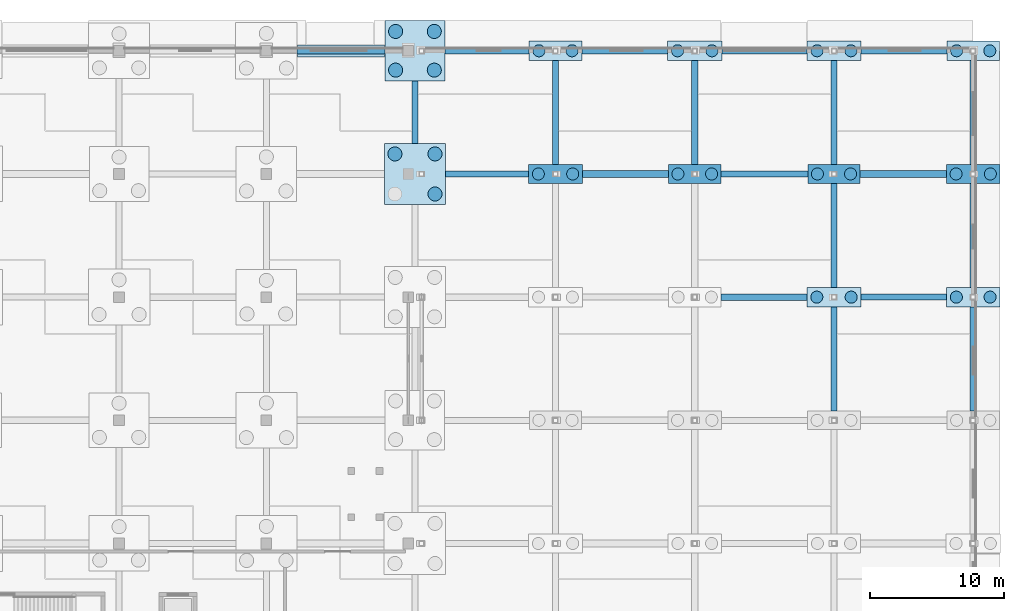
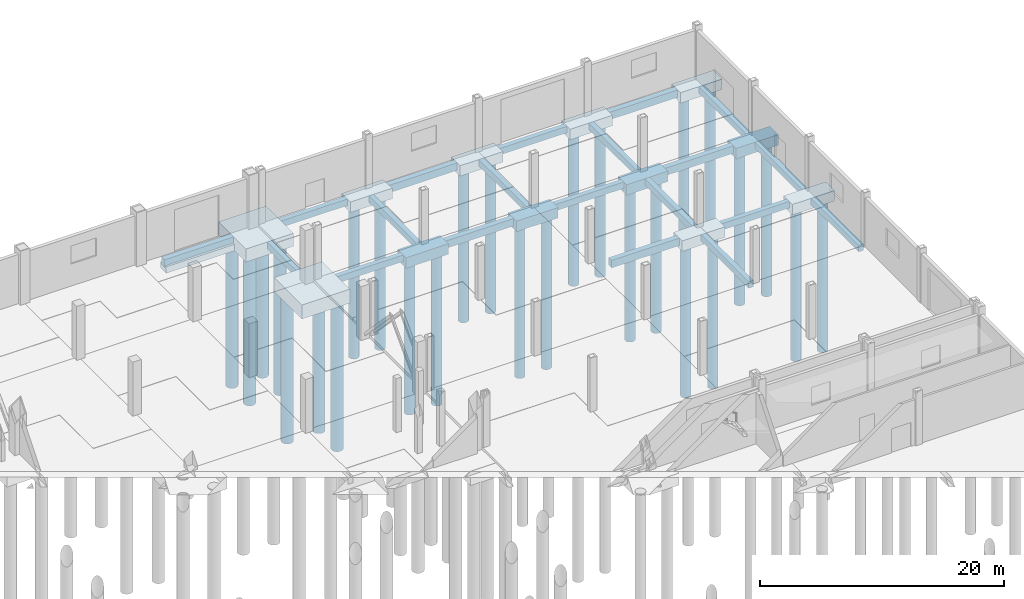
# One storey, part 14 of 83: 33 footings, 27 piles.
"""IFC4 building model written with IfcOpenShell, lengths in metres."""

from ifc_helpers import new_model, si_unit, direction, frame, origin, origin_2d, place, context, subcontext, project, spatial, polyline, circle, outline, extrude, material, material_profile, profile_set, type_object, element, save


model = new_model("IFC4")

# Units and contexts
model_context = context("Model", 3, precision=1e-05, world=origin(), true_north=direction((0.0, 1.0)))
body_context = subcontext(model_context, "Body", "Model", "MODEL_VIEW")
ifc_project = project(units=[si_unit("LENGTHUNIT", "METRE"), si_unit("AREAUNIT", "SQUARE_METRE"), si_unit("VOLUMEUNIT", "CUBIC_METRE"), si_unit("PLANEANGLEUNIT", "RADIAN"), si_unit("MASSUNIT", "GRAM", prefix="KILO")], contexts=[model_context])

# Site, building, storey
site_placement = place(None, origin())
site = spatial("IfcSite", under=ifc_project, at=site_placement, CompositionType="ELEMENT")
building_placement = place(site_placement, origin())
building = spatial("IfcBuilding", under=site, at=building_placement, Name="Caurita Quay Ferry Terminal", CompositionType="ELEMENT")
storey_placement = place(building_placement, origin())
storey = spatial("IfcBuildingStorey", under=building, at=storey_placement, Name="L00", CompositionType="ELEMENT", Elevation=0.0)

# Footings
ifc_material = material(Name="Marine reinforced concrete C40/50", Category="concrete")
footing_type_1 = type_object("IfcFootingType", Name="FTG-BM-01", PredefinedType="FOOTING_BEAM", material=ifc_material)
footing_1_placement = place(storey_placement, frame((0.0, 0.0, -1.14990234375)))
element("IfcFooting", 1, at=footing_1_placement, inside=storey, type_object=footing_type_1, Name="Seismic Tie Footing Beam FB-X-149", PredefinedType="FOOTING_BEAM", context=body_context, shape_type="SweptSolid", body=[
    extrude(outline(polyline([(155.175048828125, 98.35009765625), (161.574951171875, 98.35009765625), (161.574951171875, 98.85009765625), (155.175048828125, 98.85009765625), (155.175048828125, 98.35009765625)])), origin(), (0.0, 0.0, 1.0), 0.75),
])
footing_2_placement = place(storey_placement, frame((0.0, 0.0, -1.14990234375)))
element("IfcFooting", 2, at=footing_2_placement, inside=storey, type_object=footing_type_1, Name="Seismic Tie Footing Beam FB-X-165", PredefinedType="FOOTING_BEAM", context=body_context, shape_type="SweptSolid", body=[
    extrude(outline(polyline([(144.800048828125, 107.550048828125), (151.22509765625, 107.550048828125), (151.22509765625, 108.050048828125), (144.800048828125, 108.050048828125), (144.800048828125, 107.550048828125)])), origin(), (0.0, 0.0, 1.0), 0.75),
])
footing_3_placement = place(storey_placement, frame((0.0, 0.0, -1.14990234375)))
element("IfcFooting", 3, at=footing_3_placement, inside=storey, type_object=footing_type_1, Name="Seismic Tie Footing Beam FB-X-167", PredefinedType="FOOTING_BEAM", context=body_context, shape_type="SweptSolid", body=[
    extrude(outline(polyline([(165.550048828125, 107.550048828125), (172.0, 107.550048828125), (172.0, 108.050048828125), (165.550048828125, 108.050048828125), (165.550048828125, 107.550048828125)])), origin(), (0.0, 0.0, 1.0), 0.75),
])
footing_4_placement = place(storey_placement, frame((0.0, 0.0, -1.14990234375)))
element("IfcFooting", 4, at=footing_4_placement, inside=storey, type_object=footing_type_1, Name="Seismic Tie Footing Beam FB-X-179", PredefinedType="FOOTING_BEAM", context=body_context, shape_type="SweptSolid", body=[
    extrude(outline(polyline([(123.5, 116.75), (130.050048828125, 116.75), (130.050048828125, 117.25), (123.5, 117.25), (123.5, 116.75)])), origin(), (0.0, 0.0, 1.0), 0.75),
])
footing_5_placement = place(storey_placement, frame((0.0, 0.0, -1.14990234375)))
element("IfcFooting", 5, at=footing_5_placement, inside=storey, type_object=footing_type_1, Name="Seismic Tie Footing Beam FB-X-181", PredefinedType="FOOTING_BEAM", context=body_context, shape_type="SweptSolid", body=[
    extrude(outline(polyline([(144.77490234375, 116.75), (151.175048828125, 116.75), (151.175048828125, 117.25), (144.77490234375, 117.25), (144.77490234375, 116.75)])), origin(), (0.0, 0.0, 1.0), 0.75),
])
footing_6_placement = place(storey_placement, frame((0.0, 0.0, -1.14990234375)))
element("IfcFooting", 6, at=footing_6_placement, inside=storey, type_object=footing_type_1, Name="Seismic Tie Footing Beam FB-X-183", PredefinedType="FOOTING_BEAM", context=body_context, shape_type="SweptSolid", body=[
    extrude(outline(polyline([(165.60009765625, 116.75), (172.02490234375, 116.75), (172.02490234375, 117.25), (165.60009765625, 117.25), (165.60009765625, 116.75)])), origin(), (0.0, 0.0, 1.0), 0.75),
])
footing_type_2 = type_object("IfcFootingType", Name="FTG-BM-02", PredefinedType="FOOTING_BEAM", material=ifc_material)
footing_7_placement = place(storey_placement, frame((0.0, 0.0, -1.050048828125)))
element("IfcFooting", 7, at=footing_7_placement, inside=storey, type_object=footing_type_2, Name="Seismic Tie Footing Beam FB-X-150", PredefinedType="FOOTING_BEAM", context=body_context, shape_type="SweptSolid", body=[
    extrude(outline(polyline([(165.625, 98.375), (172.0, 98.375), (172.0, 98.824951171875), (165.625, 98.824951171875), (165.625, 98.375)])), origin(), (0.0, 0.0, 1.0), 0.650146484375),
])
footing_8_placement = place(storey_placement, frame((0.0, 0.0, -1.050048828125)))
element("IfcFooting", 8, at=footing_8_placement, inside=storey, type_object=footing_type_2, Name="Seismic Tie Footing Beam FB-X-164", PredefinedType="FOOTING_BEAM", context=body_context, shape_type="SweptSolid", body=[
    extrude(outline(polyline([(134.574951171875, 107.574951171875), (140.800048828125, 107.574951171875), (140.800048828125, 108.02490234375), (134.574951171875, 108.02490234375), (134.574951171875, 107.574951171875)])), origin(), (0.0, 0.0, 1.0), 0.650146484375),
])
footing_9_placement = place(storey_placement, frame((0.0, 0.0, -1.050048828125)))
element("IfcFooting", 9, at=footing_9_placement, inside=storey, type_object=footing_type_2, Name="Seismic Tie Footing Beam FB-X-166", PredefinedType="FOOTING_BEAM", context=body_context, shape_type="SweptSolid", body=[
    extrude(outline(polyline([(155.175048828125, 107.574951171875), (161.64990234375, 107.574951171875), (161.64990234375, 108.02490234375), (155.175048828125, 108.02490234375), (155.175048828125, 107.574951171875)])), origin(), (0.0, 0.0, 1.0), 0.650146484375),
])
footing_10_placement = place(storey_placement, frame((0.0, 0.0, -1.050048828125)))
element("IfcFooting", 10, at=footing_10_placement, inside=storey, type_object=footing_type_2, Name="Seismic Tie Footing Beam FB-X-180", PredefinedType="FOOTING_BEAM", context=body_context, shape_type="SweptSolid", body=[
    extrude(outline(polyline([(134.550048828125, 116.77490234375), (140.824951171875, 116.77490234375), (140.824951171875, 117.22509765625), (134.550048828125, 117.22509765625), (134.550048828125, 116.77490234375)])), origin(), (0.0, 0.0, 1.0), 0.650146484375),
])
footing_11_placement = place(storey_placement, frame((0.0, 0.0, -1.050048828125)))
element("IfcFooting", 11, at=footing_11_placement, inside=storey, type_object=footing_type_2, Name="Seismic Tie Footing Beam FB-X-182", PredefinedType="FOOTING_BEAM", context=body_context, shape_type="SweptSolid", body=[
    extrude(outline(polyline([(155.22509765625, 116.77490234375), (161.60009765625, 116.77490234375), (161.60009765625, 117.22509765625), (155.22509765625, 117.22509765625), (155.22509765625, 116.77490234375)])), origin(), (0.0, 0.0, 1.0), 0.650146484375),
])
footing_12_placement = place(storey_placement, frame((0.0, 0.0, -1.050048828125)))
element("IfcFooting", 12, at=footing_12_placement, inside=storey, type_object=footing_type_2, Name="Seismic Tie Footing Beam FB-Y-313", PredefinedType="FOOTING_BEAM", context=body_context, shape_type="SweptSolid", body=[
    extrude(outline(polyline([(132.074951171875, 110.074951171875), (132.52490234375, 110.074951171875), (132.52490234375, 114.75), (132.074951171875, 114.75), (132.074951171875, 110.074951171875)])), origin(), (0.0, 0.0, 1.0), 0.650146484375),
])
footing_13_placement = place(storey_placement, frame((0.0, 0.0, -1.050048828125)))
element("IfcFooting", 13, at=footing_13_placement, inside=storey, type_object=footing_type_2, Name="Seismic Tie Footing Beam FB-Y-329", PredefinedType="FOOTING_BEAM", context=body_context, shape_type="SweptSolid", body=[
    extrude(outline(polyline([(142.574951171875, 108.5), (143.02490234375, 108.5), (143.02490234375, 116.27490234375), (142.574951171875, 116.27490234375), (142.574951171875, 108.5)])), origin(), (0.0, 0.0, 1.0), 0.650146484375),
])
footing_14_placement = place(storey_placement, frame((0.0, 0.0, -1.050048828125)))
element("IfcFooting", 14, at=footing_14_placement, inside=storey, type_object=footing_type_2, Name="Seismic Tie Footing Beam FB-Y-342", PredefinedType="FOOTING_BEAM", context=body_context, shape_type="SweptSolid", body=[
    extrude(outline(polyline([(152.97509765625, 108.5), (153.425048828125, 108.5), (153.425048828125, 116.27490234375), (152.97509765625, 116.27490234375), (152.97509765625, 108.5)])), origin(), (0.0, 0.0, 1.0), 0.650146484375),
])
footing_15_placement = place(storey_placement, frame((0.0, 0.0, -1.050048828125)))
element("IfcFooting", 15, at=footing_15_placement, inside=storey, type_object=footing_type_2, Name="Seismic Tie Footing Beam FB-Y-353", PredefinedType="FOOTING_BEAM", context=body_context, shape_type="SweptSolid", body=[
    extrude(outline(polyline([(163.375, 90.10009765625), (163.824951171875, 90.10009765625), (163.824951171875, 97.875), (163.375, 97.875), (163.375, 90.10009765625)])), origin(), (0.0, 0.0, 1.0), 0.650146484375),
])
footing_16_placement = place(storey_placement, frame((0.0, 0.0, -1.050048828125)))
element("IfcFooting", 16, at=footing_16_placement, inside=storey, type_object=footing_type_2, Name="Seismic Tie Footing Beam FB-Y-354", PredefinedType="FOOTING_BEAM", context=body_context, shape_type="SweptSolid", body=[
    extrude(outline(polyline([(163.375, 99.324951171875), (163.824951171875, 99.324951171875), (163.824951171875, 107.10009765625), (163.375, 107.10009765625), (163.375, 99.324951171875)])), origin(), (0.0, 0.0, 1.0), 0.650146484375),
])
footing_17_placement = place(storey_placement, frame((0.0, 0.0, -1.050048828125)))
element("IfcFooting", 17, at=footing_17_placement, inside=storey, type_object=footing_type_2, Name="Seismic Tie Footing Beam FB-Y-355", PredefinedType="FOOTING_BEAM", context=body_context, shape_type="SweptSolid", body=[
    extrude(outline(polyline([(163.375, 108.5), (163.824951171875, 108.5), (163.824951171875, 116.27490234375), (163.375, 116.27490234375), (163.375, 108.5)])), origin(), (0.0, 0.0, 1.0), 0.650146484375),
])
footing_18_placement = place(storey_placement, frame((0.0, 0.0, -1.050048828125)))
element("IfcFooting", 18, at=footing_18_placement, inside=storey, type_object=footing_type_2, Name="Seismic Tie Footing Beam FB-Y-366", PredefinedType="FOOTING_BEAM", context=body_context, shape_type="SweptSolid", body=[
    extrude(outline(polyline([(173.77490234375, 90.10009765625), (174.22509765625, 90.10009765625), (174.22509765625, 97.875), (173.77490234375, 97.875), (173.77490234375, 90.10009765625)])), origin(), (0.0, 0.0, 1.0), 0.650146484375),
])
footing_19_placement = place(storey_placement, frame((0.0, 0.0, -1.050048828125)))
element("IfcFooting", 19, at=footing_19_placement, inside=storey, type_object=footing_type_2, Name="Seismic Tie Footing Beam FB-Y-367", PredefinedType="FOOTING_BEAM", context=body_context, shape_type="SweptSolid", body=[
    extrude(outline(polyline([(173.77490234375, 99.324951171875), (174.22509765625, 99.324951171875), (174.22509765625, 107.10009765625), (173.77490234375, 107.10009765625), (173.77490234375, 99.324951171875)])), origin(), (0.0, 0.0, 1.0), 0.650146484375),
])
footing_20_placement = place(storey_placement, frame((0.0, 0.0, -1.050048828125)))
element("IfcFooting", 20, at=footing_20_placement, inside=storey, type_object=footing_type_2, Name="Seismic Tie Footing Beam FB-Y-368", PredefinedType="FOOTING_BEAM", context=body_context, shape_type="SweptSolid", body=[
    extrude(outline(polyline([(173.77490234375, 108.5), (174.22509765625, 108.5), (174.22509765625, 116.27490234375), (173.77490234375, 116.27490234375), (173.77490234375, 108.5)])), origin(), (0.0, 0.0, 1.0), 0.650146484375),
])
footing_type_3 = type_object("IfcFootingType", Name="FTG-PC-09", PredefinedType="PILE_CAP", material=ifc_material)
footing_21_placement = place(storey_placement, frame((0.0, 0.0, -1.800048828125)))
element("IfcFooting", 21, at=footing_21_placement, inside=storey, type_object=footing_type_3, Name="Pile Cap PC-123", PredefinedType="PILE_CAP", context=body_context, shape_type="SweptSolid", body=[
    extrude(outline(polyline([(130.02490234375, 105.52490234375), (134.574951171875, 105.52490234375), (134.574951171875, 110.074951171875), (130.02490234375, 110.074951171875), (130.02490234375, 105.52490234375)])), origin(), (0.0, 0.0, 1.0), 1.400146484375),
])
footing_type_4 = type_object("IfcFootingType", Name="FTG-PC-10", PredefinedType="PILE_CAP", material=ifc_material)
footing_22_placement = place(storey_placement, frame((0.0, 0.0, -1.699951171875)))
element("IfcFooting", 22, at=footing_22_placement, inside=storey, type_object=footing_type_4, Name="Pile Cap PC-124", PredefinedType="PILE_CAP", context=body_context, shape_type="SweptSolid", body=[
    extrude(outline(polyline([(130.050048828125, 114.75), (134.550048828125, 114.75), (134.550048828125, 119.25), (130.050048828125, 119.25), (130.050048828125, 114.75)])), origin(), (0.0, 0.0, 1.0), 1.300048828125),
])
footing_type_5 = type_object("IfcFootingType", Name="FTG-PC-12", PredefinedType="PILE_CAP", material=ifc_material)
footing_23_placement = place(storey_placement, frame((0.0, 0.0, -1.449951171875)))
element("IfcFooting", 23, at=footing_23_placement, inside=storey, type_object=footing_type_5, Name="Pile Cap PC-156", PredefinedType="PILE_CAP", context=body_context, shape_type="SweptSolid", body=[
    extrude(outline(polyline([(151.175048828125, 116.27490234375), (155.22509765625, 116.27490234375), (155.22509765625, 117.72509765625), (151.175048828125, 117.72509765625), (151.175048828125, 116.27490234375)])), origin(), (0.0, 0.0, 1.0), 1.050048828125),
])
footing_24_placement = place(storey_placement, frame((0.0, 0.0, -1.449951171875)))
element("IfcFooting", 24, at=footing_24_placement, inside=storey, type_object=footing_type_5, Name="Pile Cap PC-168", PredefinedType="PILE_CAP", context=body_context, shape_type="SweptSolid", body=[
    extrude(outline(polyline([(161.574951171875, 97.875), (165.625, 97.875), (165.625, 99.324951171875), (161.574951171875, 99.324951171875), (161.574951171875, 97.875)])), origin(), (0.0, 0.0, 1.0), 1.050048828125),
])
footing_type_6 = type_object("IfcFootingType", Name="FTG-PC-13", PredefinedType="PILE_CAP", material=ifc_material)
footing_25_placement = place(storey_placement, frame((0.0, 0.0, -1.449951171875)))
element("IfcFooting", 25, at=footing_25_placement, inside=storey, type_object=footing_type_6, Name="Pile Cap PC-169", PredefinedType="PILE_CAP", context=body_context, shape_type="SweptSolid", body=[
    extrude(outline(polyline([(161.64990234375, 107.10009765625), (165.550048828125, 107.10009765625), (165.550048828125, 108.5), (161.64990234375, 108.5), (161.64990234375, 107.10009765625)])), origin(), (0.0, 0.0, 1.0), 1.050048828125),
])
footing_type_7 = type_object("IfcFootingType", Name="FTG-PC-18", PredefinedType="PILE_CAP", material=ifc_material)
footing_26_placement = place(storey_placement, frame((0.0, 0.0, -1.449951171875)))
element("IfcFooting", 26, at=footing_26_placement, inside=storey, type_object=footing_type_7, Name="Pile Cap PC-142", PredefinedType="PILE_CAP", context=body_context, shape_type="SweptSolid", body=[
    extrude(outline(polyline([(140.824951171875, 116.27490234375), (144.77490234375, 116.27490234375), (144.77490234375, 117.72509765625), (140.824951171875, 117.72509765625), (140.824951171875, 116.27490234375)])), origin(), (0.0, 0.0, 1.0), 1.050048828125),
])
footing_27_placement = place(storey_placement, frame((0.0, 0.0, -1.449951171875)))
element("IfcFooting", 27, at=footing_27_placement, inside=storey, type_object=footing_type_7, Name="Pile Cap PC-184", PredefinedType="PILE_CAP", context=body_context, shape_type="SweptSolid", body=[
    extrude(outline(polyline([(172.02490234375, 116.27490234375), (175.97509765625, 116.27490234375), (175.97509765625, 117.72509765625), (172.02490234375, 117.72509765625), (172.02490234375, 116.27490234375)])), origin(), (0.0, 0.0, 1.0), 1.050048828125),
])
footing_type_8 = type_object("IfcFootingType", Name="FTG-PC-19", PredefinedType="PILE_CAP", material=ifc_material)
footing_28_placement = place(storey_placement, frame((0.0, 0.0, -1.449951171875)))
element("IfcFooting", 28, at=footing_28_placement, inside=storey, type_object=footing_type_8, Name="Pile Cap PC-155", PredefinedType="PILE_CAP", context=body_context, shape_type="SweptSolid", body=[
    extrude(outline(polyline([(151.22509765625, 107.10009765625), (155.175048828125, 107.10009765625), (155.175048828125, 108.5), (151.22509765625, 108.5), (151.22509765625, 107.10009765625)])), origin(), (0.0, 0.0, 1.0), 1.050048828125),
])
footing_type_9 = type_object("IfcFootingType", Name="FTG-PC-22", PredefinedType="PILE_CAP", material=ifc_material)
footing_29_placement = place(storey_placement, frame((0.0, 0.0, -1.449951171875)))
element("IfcFooting", 29, at=footing_29_placement, inside=storey, type_object=footing_type_9, Name="Pile Cap PC-170", PredefinedType="PILE_CAP", context=body_context, shape_type="SweptSolid", body=[
    extrude(outline(polyline([(161.60009765625, 116.27490234375), (165.60009765625, 116.27490234375), (165.60009765625, 117.72509765625), (161.60009765625, 117.72509765625), (161.60009765625, 116.27490234375)])), origin(), (0.0, 0.0, 1.0), 1.050048828125),
])
footing_30_placement = place(storey_placement, frame((0.0, 0.0, -1.449951171875)))
element("IfcFooting", 30, at=footing_30_placement, inside=storey, type_object=footing_type_9, Name="Pile Cap PC-182", PredefinedType="PILE_CAP", context=body_context, shape_type="SweptSolid", body=[
    extrude(outline(polyline([(172.0, 97.875), (176.0, 97.875), (176.0, 99.324951171875), (172.0, 99.324951171875), (172.0, 97.875)])), origin(), (0.0, 0.0, 1.0), 1.050048828125),
])
footing_type_10 = type_object("IfcFootingType", Name="FTG-PC-23", PredefinedType="PILE_CAP", material=ifc_material)
footing_31_placement = place(storey_placement, frame((0.0, 0.0, -1.449951171875)))
element("IfcFooting", 31, at=footing_31_placement, inside=storey, type_object=footing_type_10, Name="Pile Cap PC-141", PredefinedType="PILE_CAP", context=body_context, shape_type="SweptSolid", body=[
    extrude(outline(polyline([(140.800048828125, 107.10009765625), (144.800048828125, 107.10009765625), (144.800048828125, 108.5), (140.800048828125, 108.5), (140.800048828125, 107.10009765625)])), origin(), (0.0, 0.0, 1.0), 1.050048828125),
])
footing_32_placement = place(storey_placement, frame((0.0, 0.0, -1.449951171875)))
element("IfcFooting", 32, at=footing_32_placement, inside=storey, type_object=footing_type_10, Name="Pile Cap PC-183", PredefinedType="PILE_CAP", context=body_context, shape_type="SweptSolid", body=[
    extrude(outline(polyline([(172.0, 107.10009765625), (176.0, 107.10009765625), (176.0, 108.5), (172.0, 108.5), (172.0, 107.10009765625)])), origin(), (0.0, 0.0, 1.0), 1.050048828125),
])
footing_type_11 = type_object("IfcFootingType", Name="FTG-STR-01", PredefinedType="STRIP_FOOTING", material=ifc_material)
footing_33_placement = place(storey_placement, frame((0.0, 0.0, -1.64990234375)))
element("IfcFooting", 33, at=footing_33_placement, inside=storey, type_object=footing_type_11, Name="Marine Seawall Strip Footing SF-21", PredefinedType="STRIP_FOOTING", context=body_context, shape_type="SweptSolid", body=[
    extrude(outline(polyline([(123.5400390625, 116.550048828125), (130.010009765625, 116.550048828125), (130.010009765625, 117.449951171875), (123.5400390625, 117.449951171875), (123.5400390625, 116.550048828125)])), origin(), (0.0, 0.0, 1.0), 0.64990234375),
])

# Piles
ifc_material_profile_1 = material_profile(ifc_material, circle(Radius=0.52490234375, at=origin_2d()), Name="PILE-D1050")
ifc_profile_set_1 = profile_set([ifc_material_profile_1], Name="Marine reinforced concrete C40/50")
pile_type_1 = type_object("IfcPileType", Name="TYPE-PL-1050", PredefinedType="BORED", material=ifc_profile_set_1)
for number, where, z_axis, x_axis, name in (
    (34, (133.797119140625, 106.302978515625, -1.699951171875), (0.0, 0.0, -1.0), (1.0, 0.0, 0.0), "Bored Marine Pile PC-123-P2"),
    (35, (130.803955078125, 109.2958984375, -1.699951171875), (0.0, 0.0, -1.0), (1.0, 0.0, 0.0), "Bored Marine Pile PC-123-P3"),
    (36, (133.797119140625, 109.2958984375, -1.699951171875), (0.0, 0.0, -1.0), (1.0, 0.0, 0.0), "Bored Marine Pile PC-123-P4"),
):
    element("IfcPile", number, at=place(storey_placement, frame(where, z_axis=z_axis, x_axis=x_axis)), inside=storey, type_object=pile_type_1, Name=name, PredefinedType="BORED", context=body_context, shape_type="SweptSolid", body=[
        extrude(circle(Radius=0.52490234375, at=origin_2d()), origin(), (0.0, 0.0, 1.0), 14.800048828125),
    ])
for number, where, z_axis, x_axis, name in (
    (37, (130.85595703125, 115.555908203125, -1.60009765625), (0.0, 0.0, -1.0), (1.0, 0.0, 0.0), "Bored Marine Pile PC-124-P1"),
    (38, (133.743896484375, 115.555908203125, -1.60009765625), (0.0, 0.0, -1.0), (1.0, 0.0, 0.0), "Bored Marine Pile PC-124-P2"),
    (39, (130.85595703125, 118.444091796875, -1.60009765625), (0.0, 0.0, -1.0), (1.0, 0.0, 0.0), "Bored Marine Pile PC-124-P3"),
    (40, (133.743896484375, 118.444091796875, -1.60009765625), (0.0, 0.0, -1.0), (1.0, 0.0, 0.0), "Bored Marine Pile PC-124-P4"),
):
    element("IfcPile", number, at=place(storey_placement, frame(where, z_axis=z_axis, x_axis=x_axis)), inside=storey, type_object=pile_type_1, Name=name, PredefinedType="BORED", context=body_context, shape_type="SweptSolid", body=[
        extrude(circle(Radius=0.52490234375, at=origin_2d()), origin(), (0.0, 0.0, 1.0), 14.89990234375),
    ])
ifc_material_profile_2 = material_profile(ifc_material, circle(Radius=0.449951171875, at=origin_2d()), Name="PILE-D900")
ifc_profile_set_2 = profile_set([ifc_material_profile_2], Name="Marine reinforced concrete C40/50")
pile_type_2 = type_object("IfcPileType", Name="TYPE-PL-900", PredefinedType="BORED", material=ifc_profile_set_2)
for number, where, z_axis, x_axis, name in (
    (41, (141.51806640625, 107.800048828125, -1.35009765625), (0.0, 0.0, -1.0), (1.0, 0.0, 0.0), "Bored Marine Pile PC-141-P1"),
    (42, (144.0830078125, 107.800048828125, -1.35009765625), (0.0, 0.0, -1.0), (1.0, 0.0, 0.0), "Bored Marine Pile PC-141-P2"),
    (43, (141.56201171875, 117.0, -1.35009765625), (0.0, 0.0, -1.0), (1.0, 0.0, 0.0), "Bored Marine Pile PC-142-P1"),
    (44, (144.0380859375, 117.0, -1.35009765625), (0.0, 0.0, -1.0), (1.0, 0.0, 0.0), "Bored Marine Pile PC-142-P2"),
    (45, (151.93994140625, 107.800048828125, -1.35009765625), (0.0, 0.0, -1.0), (1.0, 0.0, 0.0), "Bored Marine Pile PC-155-P1"),
    (46, (154.4599609375, 107.800048828125, -1.35009765625), (0.0, 0.0, -1.0), (1.0, 0.0, 0.0), "Bored Marine Pile PC-155-P2"),
    (47, (151.9169921875, 117.0, -1.35009765625), (0.0, 0.0, -1.0), (1.0, 0.0, 0.0), "Bored Marine Pile PC-156-P1"),
    (48, (154.48193359375, 117.0, -1.35009765625), (0.0, 0.0, -1.0), (1.0, 0.0, 0.0), "Bored Marine Pile PC-156-P2"),
    (49, (162.31689453125, 98.60009765625, -1.35009765625), (0.0, 0.0, -1.0), (1.0, 0.0, 0.0), "Bored Marine Pile PC-168-P1"),
    (50, (164.882080078125, 98.60009765625, -1.35009765625), (0.0, 0.0, -1.0), (1.0, 0.0, 0.0), "Bored Marine Pile PC-168-P2"),
    (51, (162.362060546875, 107.800048828125, -1.35009765625), (0.0, 0.0, -1.0), (1.0, 0.0, 0.0), "Bored Marine Pile PC-169-P1"),
    (52, (164.837890625, 107.800048828125, -1.35009765625), (0.0, 0.0, -1.0), (1.0, 0.0, 0.0), "Bored Marine Pile PC-169-P2"),
    (53, (162.340087890625, 117.0, -1.35009765625), (0.0, 0.0, -1.0), (1.0, 0.0, 0.0), "Bored Marine Pile PC-170-P1"),
    (54, (164.860107421875, 117.0, -1.35009765625), (0.0, 0.0, -1.0), (1.0, 0.0, 0.0), "Bored Marine Pile PC-170-P2"),
    (55, (172.739990234375, 98.60009765625, -1.35009765625), (0.0, 0.0, -1.0), (1.0, 0.0, 0.0), "Bored Marine Pile PC-182-P1"),
    (56, (175.260009765625, 98.60009765625, -1.35009765625), (0.0, 0.0, -1.0), (1.0, 0.0, 0.0), "Bored Marine Pile PC-182-P2"),
    (57, (172.718017578125, 107.800048828125, -1.35009765625), (0.0, 0.0, -1.0), (1.0, 0.0, 0.0), "Bored Marine Pile PC-183-P1"),
    (58, (175.281982421875, 107.800048828125, -1.35009765625), (0.0, 0.0, -1.0), (1.0, 0.0, 0.0), "Bored Marine Pile PC-183-P2"),
    (59, (172.761962890625, 117.0, -1.35009765625), (0.0, 0.0, -1.0), (1.0, 0.0, 0.0), "Bored Marine Pile PC-184-P1"),
    (60, (175.238037109375, 117.0, -1.35009765625), (0.0, 0.0, -1.0), (1.0, 0.0, 0.0), "Bored Marine Pile PC-184-P2"),
):
    element("IfcPile", number, at=place(storey_placement, frame(where, z_axis=z_axis, x_axis=x_axis)), inside=storey, type_object=pile_type_2, Name=name, PredefinedType="BORED", context=body_context, shape_type="SweptSolid", body=[
        extrude(circle(Radius=0.449951171875, at=origin_2d()), origin(), (0.0, 0.0, 1.0), 15.14990234375),
    ])

save(model, "model.ifc")
